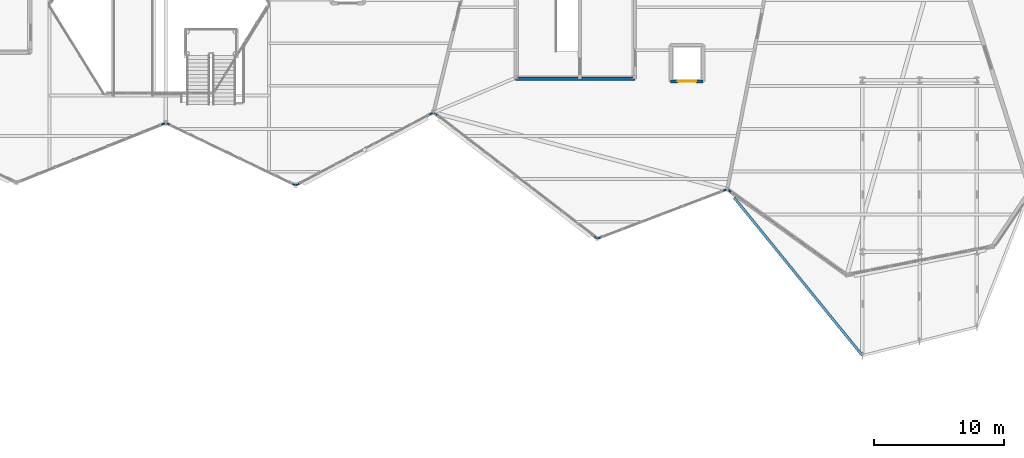
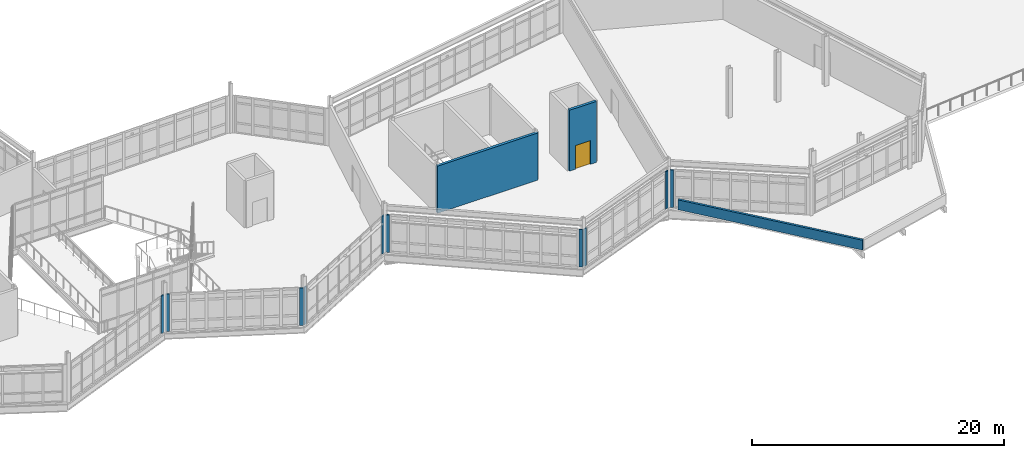
# One storey, part 59 of 76: 13 walls, 1 door, 1 opening.
"""IFC4 building model written with IfcOpenShell, lengths in metres."""

from ifc_helpers import new_model, si_unit, direction, frame, frame_2d, origin, place, context, subcontext, project, spatial, rectangle, extrude, material, layer, layer_set, type_object, element, fill, save


model = new_model("IFC4")

# Units and contexts
model_context = context("Model", 3, precision=1e-05, world=origin(), true_north=direction((0.0, 1.0)))
body_context = subcontext(model_context, "Body", "Model", "MODEL_VIEW")
ifc_project = project(units=[si_unit("LENGTHUNIT", "METRE"), si_unit("AREAUNIT", "SQUARE_METRE"), si_unit("VOLUMEUNIT", "CUBIC_METRE"), si_unit("PLANEANGLEUNIT", "RADIAN"), si_unit("MASSUNIT", "GRAM", prefix="KILO")], contexts=[model_context])

# Site, building, storey
site_placement = place(None, origin())
site = spatial("IfcSite", under=ifc_project, at=site_placement, CompositionType="ELEMENT")
building_placement = place(site_placement, origin())
building = spatial("IfcBuilding", under=site, at=building_placement, Name="Tameran Prism Museum", CompositionType="ELEMENT")
storey_placement = place(building_placement, frame((0.0, 0.0, 15.0)))
storey = spatial("IfcBuildingStorey", under=building, at=storey_placement, Name="L03", CompositionType="ELEMENT", Elevation=15.0)

# Walls
ifc_material_1 = material(Name="Precast Concrete N40 (40 MPa)", Category="concrete")
ifc_layer_1 = layer(ifc_material_1, 0.094970703125)
ifc_layer_set_1 = layer_set([ifc_layer_1])
wall_type_1 = type_object("IfcWallType", Name="EW-CLOS-095", PredefinedType="SOLIDWALL", material=ifc_layer_set_1)
for number, where, z_axis, x_axis, name in (
    (1, (77.405029296875, 27.362060546875, 0.0), (0.0, 0.0, 1.0), (-0.928967856381, -0.370160400111, 0.0), "Facade Corner Closure EW-0379"),
    (2, (87.4619140625, 22.617919921875, 0.0), (0.0, 0.0, 1.0), (-0.901906089125, 0.431932178008, 0.0), "Facade Corner Closure EW-0383"),
):
    element("IfcWall", number, at=place(storey_placement, frame(where, z_axis=z_axis, x_axis=x_axis)), inside=storey, type_object=wall_type_1, Name=name, PredefinedType="SOLIDWALL", context=body_context, shape_type="SweptSolid", body=[
        extrude(rectangle(XDim=0.30810546875, YDim=0.094970703125, at=frame_2d((0.154052734375, 0.0))), origin(), (0.0, 0.0, 1.0), 3.6201171875),
    ])
wall_1_placement = place(storey_placement, frame((77.8701171875, 27.222900390625, 0.0), z_axis=(0.0, 0.0, 1.0), x_axis=(-0.902053790555, 0.431623631126, 0.0)))
element("IfcWall", 3, at=wall_1_placement, inside=storey, type_object=wall_type_1, Name="Facade Corner Closure EW-0384", PredefinedType="SOLIDWALL", context=body_context, shape_type="SweptSolid", body=[
    extrude(rectangle(XDim=0.308349609375, YDim=0.094970703125, at=frame_2d((0.154296875, 0.0))), origin(), (0.0, 0.0, 1.0), 3.6201171875),
])
wall_2_placement = place(storey_placement, frame((98.010009765625, 28.152099609375, 0.0), z_axis=(0.0, 0.0, 1.0), x_axis=(-0.885021600209, -0.465549962049, 0.0)))
element("IfcWall", 4, at=wall_2_placement, inside=storey, type_object=wall_type_1, Name="Facade Corner Closure EW-0385", PredefinedType="SOLIDWALL", context=body_context, shape_type="SweptSolid", body=[
    extrude(rectangle(XDim=0.307373046875, YDim=0.094970703125, at=frame_2d((0.15380859375, 0.0))), origin(), (0.0, 0.0, 1.0), 3.6201171875),
])
wall_3_placement = place(storey_placement, frame((87.80908203125, 22.762939453125, 0.0), z_axis=(0.0, 0.0, 1.0), x_axis=(-0.885348834604, -0.464927350308, 0.0)))
element("IfcWall", 5, at=wall_3_placement, inside=storey, type_object=wall_type_1, Name="Facade Corner Closure EW-0386", PredefinedType="SOLIDWALL", context=body_context, shape_type="SweptSolid", body=[
    extrude(rectangle(XDim=0.30712890625, YDim=0.094970703125, at=frame_2d((0.153564453125, 0.0))), origin(), (0.0, 0.0, 1.0), 3.6201171875),
])
wall_4_placement = place(storey_placement, frame((110.6669921875, 18.52587890625, 0.0), z_axis=(0.0, 0.0, 1.0), x_axis=(-0.79356800352, 0.608481572268, 0.0)))
element("IfcWall", 6, at=wall_4_placement, inside=storey, type_object=wall_type_1, Name="Facade Corner Closure EW-0397", PredefinedType="SOLIDWALL", context=body_context, shape_type="SweptSolid", body=[
    extrude(rectangle(XDim=0.307373046875, YDim=0.094970703125, at=frame_2d((0.15380859375, 0.0))), origin(), (0.0, 0.0, 1.0), 3.6201171875),
])
wall_5_placement = place(storey_placement, frame((98.424072265625, 27.949951171875, 0.0), z_axis=(0.0, 0.0, 1.0), x_axis=(-0.793861838141, 0.608098168016, 0.0)))
element("IfcWall", 7, at=wall_5_placement, inside=storey, type_object=wall_type_1, Name="Facade Corner Closure EW-0398", PredefinedType="SOLIDWALL", context=body_context, shape_type="SweptSolid", body=[
    extrude(rectangle(XDim=0.3076171875, YDim=0.094970703125, at=frame_2d((0.15380859375, 0.0))), origin(), (0.0, 0.0, 1.0), 3.6201171875),
])
wall_6_placement = place(storey_placement, frame((120.60498046875, 22.263916015625, 0.0), z_axis=(0.0, 0.0, 1.0), x_axis=(-0.935413842844, -0.353554723651, 0.0)))
element("IfcWall", 8, at=wall_6_placement, inside=storey, type_object=wall_type_1, Name="Facade Corner Closure EW-0399", PredefinedType="SOLIDWALL", context=body_context, shape_type="SweptSolid", body=[
    extrude(rectangle(XDim=0.307861328125, YDim=0.094970703125, at=frame_2d((0.15380859375, 0.0))), origin(), (0.0, 0.0, 1.0), 3.6201171875),
])
for number, where, z_axis, x_axis, name in (
    (9, (111.027099609375, 18.6240234375, 0.0), (0.0, 0.0, 1.0), (-0.935151489811, -0.354248064361, 0.0), "Facade Corner Closure EW-0400"),
    (10, (121.032958984375, 22.06103515625, 0.0), (0.0, 0.0, 1.0), (-0.811639565077, 0.584158554162, 0.0), "Facade Corner Closure EW-0405"),
):
    element("IfcWall", number, at=place(storey_placement, frame(where, z_axis=z_axis, x_axis=x_axis)), inside=storey, type_object=wall_type_1, Name=name, PredefinedType="SOLIDWALL", context=body_context, shape_type="SweptSolid", body=[
        extrude(rectangle(XDim=0.30810546875, YDim=0.094970703125, at=frame_2d((0.154052734375, 0.0))), origin(), (0.0, 0.0, 1.0), 3.6201171875),
    ])
ifc_material_2 = material(Name="Precast Concrete N40 (40 MPa)", Category="concrete")
ifc_layer_2 = layer(ifc_material_2, 0.195068359375)
ifc_layer_set_2 = layer_set([ifc_layer_2])
wall_type_2 = type_object("IfcWallType", Name="EW-PAR-195", PredefinedType="PARAPET", material=ifc_layer_set_2)
wall_7_placement = place(storey_placement, frame((131.10009765625, 9.5, 0.0), z_axis=(0.0, 0.0, 1.0), x_axis=(-0.630610236669, 0.776099690381, 0.0)))
element("IfcWall", 11, at=wall_7_placement, inside=storey, type_object=wall_type_2, Name="Prow Roof Parapet EP-041", PredefinedType="PARAPET", context=body_context, shape_type="SweptSolid", body=[
    extrude(rectangle(XDim=15.65625, YDim=0.195068359375, at=frame_2d((7.828125, 0.0))), origin(), (0.0, 0.0, 1.0), 0.949951171875),
])
ifc_material_3 = material(Name="Concrete N40 (40 MPa)", Category="concrete")
ifc_layer_3 = layer(ifc_material_3, 0.25)
ifc_layer_set_3 = layer_set([ifc_layer_3])
wall_type_3 = type_object("IfcWallType", Name="IW-COR-250", PredefinedType="SHEAR", material=ifc_layer_set_3)
wall_8_placement = place(storey_placement, frame((113.60009765625, 30.800048828125, 0.0), z_axis=(0.0, 0.0, 1.0), x_axis=(-1.0, 0.0, 0.0)))
element("IfcWall", 12, at=wall_8_placement, inside=storey, type_object=wall_type_3, Name="Core Shear Wall CW-4-L03-S", PredefinedType="SHEAR", context=body_context, shape_type="SweptSolid", body=[
    extrude(rectangle(XDim=9.2001953125, YDim=0.25, at=frame_2d((4.60009765625, 0.0))), origin(), (0.0, 0.0, 1.0), 4.56005859375),
])

# Wall, opening, door
ifc_material_4 = material(Name="Concrete N40 (40 MPa)", Category="concrete")
ifc_layer_4 = layer(ifc_material_4, 0.239990234375)
ifc_layer_set_4 = layer_set([ifc_layer_4])
wall_type_4 = type_object("IfcWallType", Name="IW-LFT-240", PredefinedType="SHEAR", material=ifc_layer_set_4)
wall_9_placement = place(storey_placement, frame((118.85009765625, 30.60009765625, 0.0), z_axis=(0.0, 0.0, 1.0), x_axis=(-1.0, 0.0, 0.0)))
wall_9 = element("IfcWall", 13, at=wall_9_placement, inside=storey, type_object=wall_type_4, Name="Lift Shaft Wall LW-PL03-L03S", PredefinedType="SHEAR", context=body_context, shape_type="SweptSolid", body=[
    extrude(rectangle(XDim=2.5, YDim=0.239990234375, at=frame_2d((1.25, 0.0))), origin(), (0.0, 0.0, 1.0), 5.89990234375),
])
opening_placement = place(wall_9_placement, frame((0.550048828125, 0.0, 0.0)))
opening = element("IfcOpeningElement", 14, at=opening_placement, cuts=wall_9, Name="Opening LD-PL03-L03", PredefinedType="OPENING", context=body_context, shape_type="SweptSolid", body=[
    extrude(rectangle(XDim=1.39990234375, YDim=2.300048828125, at=frame_2d((0.699951171875, 1.14990234375))), frame((0.0, 0.1298828125, 0.0), z_axis=(0.0, -1.0, 0.0), x_axis=(1.0, 0.0, 0.0)), (0.0, 0.0, 1.0), 0.260009765625),
])
ifc_material_5 = material(Name="Fire-Rated Steel Door Leaf and Frame", Category="steel")
door_type = type_object("IfcDoorType", Name="DR-LD-PL2", OperationType="SLIDING_TO_LEFT", PredefinedType="DOOR", material=ifc_material_5)
door_placement = place(opening_placement, origin())
door = element("IfcDoor", 15, at=door_placement, inside=storey, type_object=door_type, Name="Passenger Lift PL-03 Landing Door L03", OperationType="SLIDING_TO_LEFT", OverallHeight=2.300048828125, OverallWidth=1.39990234375, PredefinedType="DOOR", context=body_context, shape_type="SweptSolid", body=[
    extrude(rectangle(XDim=1.39990234375, YDim=2.300048828125, at=frame_2d((0.699951171875, 1.14990234375))), frame((0.0, 0.02490234375, 0.0), z_axis=(0.0, -1.0, 0.0), x_axis=(1.0, 0.0, 0.0)), (0.0, 0.0, 1.0), 0.050048828125),
])
fill(opening, door)

save(model, "model.ifc")
